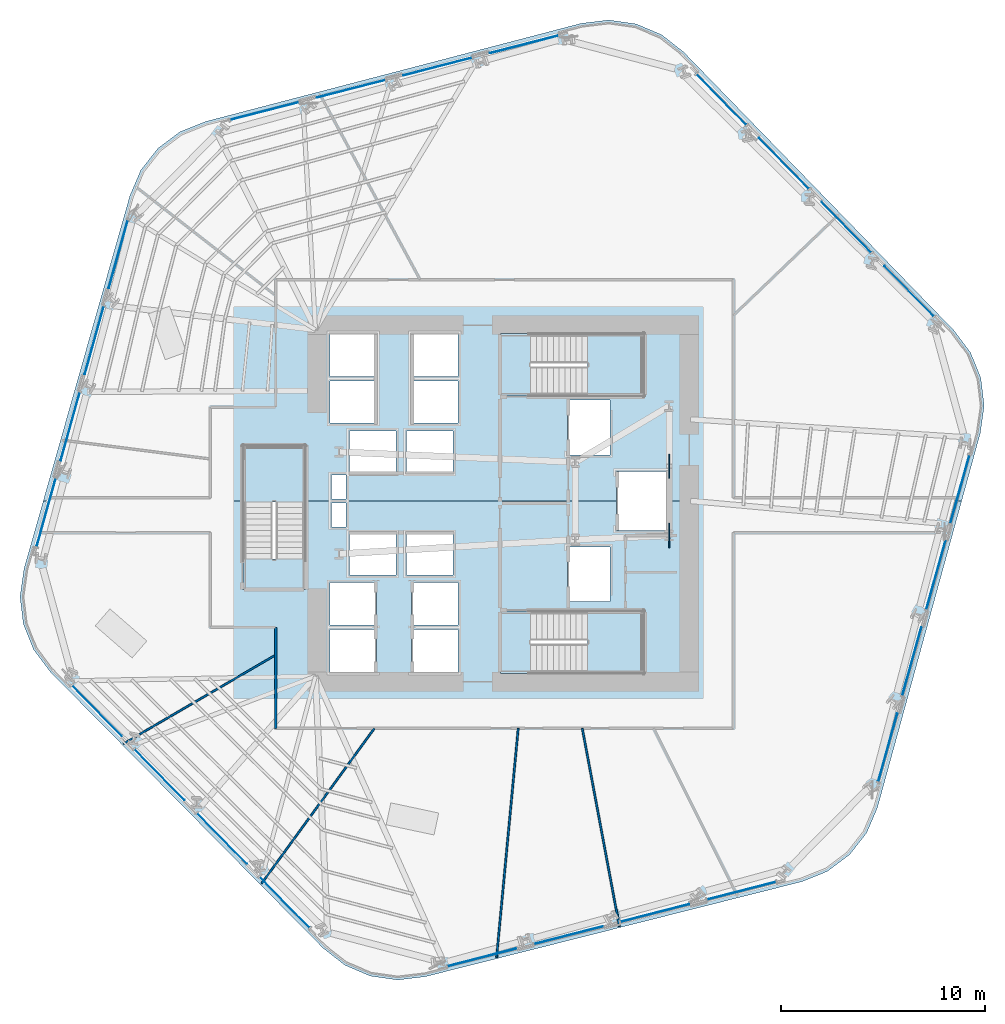
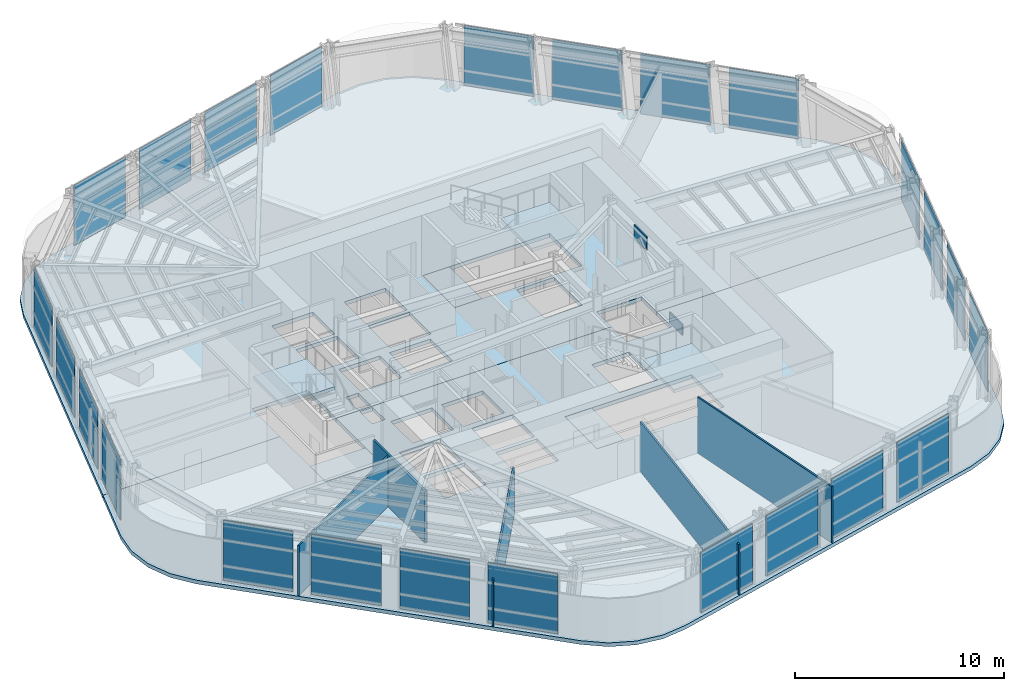
# One storey, part 8 of 17: 26 plates, 8 slabs, 5 walls, 9 elements without a shape of their own.
"""IFC4 building model written with IfcOpenShell, lengths in metres."""

import ifcopenshell
import ifcopenshell.guid

model = None  # the IFC model being written
_history = None  # IfcOwnerHistory: only IFC2X3 demands one
_inside = {}  # id of a spatial element -> (the spatial element, [elements in it])
_under = {}  # id of a project, library or spatial element -> (it, [spatial elements below it])
_declared = {}  # id of a project -> (the project, [libraries it declares])
_typed = {}  # id of a type object -> (the type object, [elements of that type])
_made_of = {}  # id of a material, layer set ... -> (it, [elements and type objects made of it])


def new_model(schema):
    """Start an empty IFC model of exactly this schema.

    Asked for "IFC4X3", IfcOpenShell would pick the latest addendum, in which some entities
    have other attributes; the version numbers below select the first issue.
    IFC2X3 requires an IfcOwnerHistory on every rooted entity: one is made here for all.
    """
    global model, _history
    if schema == "IFC4X3":
        model = ifcopenshell.file(schema_version=(4, 3, 0, 0))
    else:
        model = ifcopenshell.file(schema=schema)
    _inside.clear()
    _under.clear()
    _declared.clear()
    _typed.clear()
    _made_of.clear()
    _history = None
    if model.schema == "IFC2X3":
        org = make("IfcOrganization", Name="unknown")
        user = make(
            "IfcPersonAndOrganization",
            ThePerson=make("IfcPerson", FamilyName="unknown"),
            TheOrganization=org,
        )
        app = make(
            "IfcApplication",
            ApplicationDeveloper=org,
            Version="unknown",
            ApplicationFullName="unknown",
            ApplicationIdentifier="unknown",
        )
        _history = make(
            "IfcOwnerHistory",
            OwningUser=user,
            OwningApplication=app,
            ChangeAction="ADDED",
            CreationDate=0,
        )
    return model


def make(cls, **values):
    """One entity of the class cls with the attributes given. An attribute that is None is left unset."""
    return model.create_entity(
        cls, **{name: value for name, value in values.items() if value is not None}
    )


def rooted(cls, **values):
    """An entity with a GlobalId (a new one), such as an element, a storey or a relation."""
    return make(cls, GlobalId=ifcopenshell.guid.new(), OwnerHistory=_history, **values)


def si_unit(unit_type, name, prefix=None):
    """IfcSIUnit, for example si_unit("LENGTHUNIT", "METRE", prefix="MILLI")."""
    return make("IfcSIUnit", UnitType=unit_type, Prefix=prefix, Name=name)


def assignment(units):
    """IfcUnitAssignment: the units of a project."""
    return None if units is None else make("IfcUnitAssignment", Units=units)


def point(xyz):
    """IfcCartesianPoint."""
    return None if xyz is None else make("IfcCartesianPoint", Coordinates=xyz)


def direction(xyz):
    """IfcDirection."""
    return None if xyz is None else make("IfcDirection", DirectionRatios=xyz)


def frame(location, z_axis=None, x_axis=None):
    """IfcAxis2Placement3D, a coordinate frame: its origin and axes. An axis left out is left unset."""
    return make(
        "IfcAxis2Placement3D",
        Location=point(location),
        Axis=direction(z_axis),
        RefDirection=direction(x_axis),
    )


def frame_2d(location, x_axis=None):
    """IfcAxis2Placement2D, a coordinate frame in the plane: its origin and x axis."""
    return make(
        "IfcAxis2Placement2D", Location=point(location), RefDirection=direction(x_axis)
    )


def origin():
    """The frame at (0, 0, 0) with its axes left unset."""
    return frame((0.0, 0.0, 0.0))


def origin_2d():
    """The frame at (0, 0) in the plane with its x axis left unset."""
    return frame_2d((0.0, 0.0))


def place(relative_to, where):
    """IfcLocalPlacement: puts the frame where relative to a parent placement (None: the world)."""
    return make(
        "IfcLocalPlacement", PlacementRelTo=relative_to, RelativePlacement=where
    )


def context(
    kind, dimensions, precision=None, world=None, true_north=None, identifier=None
):
    """IfcGeometricRepresentationContext, for example the 3D "Model" context."""
    return make(
        "IfcGeometricRepresentationContext",
        ContextIdentifier=identifier,
        ContextType=kind,
        CoordinateSpaceDimension=dimensions,
        Precision=precision,
        WorldCoordinateSystem=world,
        TrueNorth=true_north,
    )


def subcontext(parent, identifier, kind, view, scale=None):
    """IfcGeometricRepresentationSubContext, for example "Body" below "Model"."""
    return make(
        "IfcGeometricRepresentationSubContext",
        ContextIdentifier=identifier,
        ContextType=kind,
        ParentContext=parent,
        TargetScale=scale,
        TargetView=view,
    )


def project(units=None, contexts=None):
    """IfcProject with its units and contexts."""
    return rooted(
        "IfcProject",
        Name="project",
        RepresentationContexts=contexts,
        UnitsInContext=assignment(units),
    )


def spatial(cls, under=None, at=None, **own):
    """A site, building, storey or space (cls), placed at a placement, below another one or the project."""
    s = rooted(cls, ObjectPlacement=at, **own)
    if under is not None:
        _under.setdefault(under.id(), (under, []))[1].append(s)
    return s


def polyline(points):
    """IfcPolyline through the points."""
    return make("IfcPolyline", Points=[point(p) for p in points])


def profile(cls, at=None, kind="AREA", **sizes):
    """A parametric profile (cls). Its sizes go by their IFC names, for example OverallWidth=200.0."""
    return make(cls, ProfileType=kind, Position=at, **sizes)


def rectangle(**sizes):
    """IfcRectangleProfileDef."""
    return profile("IfcRectangleProfileDef", **sizes)


def outline(outer, holes=None, kind="AREA"):
    """IfcArbitraryClosedProfileDef: a profile drawn as a closed curve; with holes, ...WithVoids."""
    if holes is None:
        return make("IfcArbitraryClosedProfileDef", ProfileType=kind, OuterCurve=outer)
    return make(
        "IfcArbitraryProfileDefWithVoids",
        ProfileType=kind,
        OuterCurve=outer,
        InnerCurves=holes,
    )


def extrude(swept, where, along, depth):
    """IfcExtrudedAreaSolid: the profile swept, set in the frame where, extruded along a direction by depth."""
    return make(
        "IfcExtrudedAreaSolid",
        SweptArea=swept,
        Position=where,
        ExtrudedDirection=direction(along),
        Depth=depth,
    )


def shape(context_of_items, identifier, shape_type, items):
    """IfcShapeRepresentation: the items that make up one representation, for example the "Body"."""
    return make(
        "IfcShapeRepresentation",
        ContextOfItems=context_of_items,
        RepresentationIdentifier=identifier,
        RepresentationType=shape_type,
        Items=items,
    )


def material(Name=None, Category=None):
    """IfcMaterial."""
    return make("IfcMaterial", Name=Name, Category=Category)


def layer(
    of_material, thickness, ventilated=None, Name=None, Category=None, Priority=None
):
    """IfcMaterialLayer: one layer of a wall or slab, of a material (None: an air gap)."""
    return make(
        "IfcMaterialLayer",
        Material=of_material,
        LayerThickness=thickness,
        IsVentilated=ventilated,
        Name=Name,
        Category=Category,
        Priority=Priority,
    )


def layer_set(layers, Name=None):
    """IfcMaterialLayerSet."""
    return make("IfcMaterialLayerSet", MaterialLayers=layers, LayerSetName=Name)


def made_of(thing, what):
    """Note that an element or type object is made of a material, layer set ...; save() writes the relation."""
    if what is not None:
        _made_of.setdefault(what.id(), (what, []))[1].append(thing)
    return thing


def type_object(cls, material=None, **own):
    """A type object (cls), such as IfcWallType, which elements share."""
    return made_of(rooted(cls, **own), material)


def element(
    cls,
    number,
    at=None,
    inside=None,
    cuts=None,
    type_object=None,
    material=None,
    context=None,
    identifier="Body",
    shape_type=None,
    held_by="IfcProductDefinitionShape",
    body=None,
    shapes=None,
    **own,
):
    """One element of the class cls, such as IfcWall. Its Tag is "e" and its number.

    at: its placement. inside: the storey or other place that contains it. cuts: it is an
    opening in that element (IfcRelVoidsElement). A single representation is given by context,
    identifier, shape_type and body (its items); several are given by shapes. held_by: the class
    of the entity that holds the representations. save() writes the other relations.
    """
    e = rooted(cls, Tag="e%d" % number, ObjectPlacement=at, **own)
    if body is not None:
        shapes = [shape(context, identifier, shape_type, body)]
    if shapes is not None:
        e.Representation = make(held_by, Representations=shapes)
    if inside is not None:
        _inside.setdefault(inside.id(), (inside, []))[1].append(e)
    if cuts is not None:
        rooted(
            "IfcRelVoidsElement", RelatingBuildingElement=cuts, RelatedOpeningElement=e
        )
    if type_object is not None:
        _typed.setdefault(type_object.id(), (type_object, []))[1].append(e)
    return made_of(e, material)


def aggregate(whole, parts):
    """IfcRelAggregates: a whole, such as a stair, and the parts it consists of."""
    return rooted("IfcRelAggregates", RelatingObject=whole, RelatedObjects=parts)


def save(model, path):
    """Write the relations noted so far, then the file.

    IfcRelAggregates (storeys below a building ...), IfcRelContainedInSpatialStructure (elements
    in a storey), IfcRelDefinesByType, IfcRelAssociatesMaterial and IfcRelDeclares: one each for
    every whole, place, type object, material and project.
    """
    for whole, parts in _under.values():
        aggregate(whole, parts)
    for where, things in _inside.values():
        rooted(
            "IfcRelContainedInSpatialStructure",
            RelatedElements=things,
            RelatingStructure=where,
        )
    for kind, things in _typed.values():
        rooted("IfcRelDefinesByType", RelatedObjects=things, RelatingType=kind)
    for what, things in _made_of.values():
        rooted("IfcRelAssociatesMaterial", RelatedObjects=things, RelatingMaterial=what)
    for by, libraries in _declared.values():
        rooted("IfcRelDeclares", RelatingContext=by, RelatedDefinitions=libraries)
    model.write(path)


model = new_model("IFC4")

# Units and contexts
model_context = context("Model", 3, precision=1e-05, world=origin(), true_north=direction((0.0, 1.0)))
body_context = subcontext(model_context, "Body", "Model", "MODEL_VIEW")
ifc_project = project(units=[si_unit("LENGTHUNIT", "METRE"), si_unit("AREAUNIT", "SQUARE_METRE"), si_unit("VOLUMEUNIT", "CUBIC_METRE"), si_unit("PLANEANGLEUNIT", "RADIAN"), si_unit("MASSUNIT", "GRAM", prefix="KILO")], contexts=[model_context])

# Site, building, storey
site_placement = place(None, origin())
site = spatial("IfcSite", under=ifc_project, at=site_placement, CompositionType="ELEMENT")
building_placement = place(site_placement, origin())
building = spatial("IfcBuilding", under=site, at=building_placement, Name="Valkerne Bourse Tower", CompositionType="ELEMENT")
storey_placement = place(building_placement, frame((0.0, 0.0, 85.800048828125)))
storey = spatial("IfcBuildingStorey", under=building, at=storey_placement, Name="L21", CompositionType="ELEMENT", Elevation=85.800048828125)

# Curtain wall, plates
ifc_material_1 = material(Name="Aluminium AA 6063-T6", Category="aluminium")
ifc_layer_1 = layer(ifc_material_1, 0.22998046875)
ifc_layer_set_1 = layer_set([ifc_layer_1], Name="Aluminium AA 6063-T6")
curtain_wall_type = type_object("IfcCurtainWallType", Name="CW-02", PredefinedType="NOTDEFINED", material=ifc_layer_set_1)
curtain_wall_1_placement = place(storey_placement, origin())
curtain_wall_1 = element("IfcCurtainWall", 1, at=curtain_wall_1_placement, inside=storey, type_object=curtain_wall_type, Name="L21 Hexagonal Stick Curtain Wall Face 1", PredefinedType="NOTDEFINED")
ifc_material_2 = material(Name="Glass IGU Low-E Double Glazed", Category="glass")
ifc_layer_2 = layer(ifc_material_2, 0.031982421875)
ifc_layer_set_2 = layer_set([ifc_layer_2], Name="Glass IGU Low-E Double Glazed")
plate_type_1 = type_object("IfcPlateType", Name="CW-PNL-IGU-32", PredefinedType="CURTAIN_PANEL", material=ifc_layer_set_2)
plate_1_placement = place(storey_placement, frame((66.70947265625, 37.294921875, 0.030029296875), z_axis=(0.0, 0.0, 1.0), x_axis=(-0.699652940841, 0.714482863596, 0.0)))
plate_1 = element("IfcPlate", 2, at=plate_1_placement, type_object=plate_type_1, Name="CW-L21-F1 Curtain Panel 00", PredefinedType="CURTAIN_PANEL", context=body_context, shape_type="SweptSolid", body=[
    extrude(rectangle(XDim=3.462890625, YDim=0.031982421875, at=origin_2d()), origin(), (0.0, 0.0, 1.0), 3.52001953125),
])
plate_2_placement = place(storey_placement, frame((63.642822265625, 40.426513671875, 0.030029296875), z_axis=(0.0, 0.0, 1.0), x_axis=(-0.699664346061, 0.714471694927, 0.0)))
plate_2 = element("IfcPlate", 3, at=plate_2_placement, type_object=plate_type_1, Name="CW-L21-F1 Curtain Panel 01", PredefinedType="CURTAIN_PANEL", context=body_context, shape_type="SweptSolid", body=[
    extrude(rectangle(XDim=3.462890625, YDim=0.031982421875, at=origin_2d()), origin(), (0.0, 0.0, 1.0), 3.52001953125),
])
plate_3_placement = place(storey_placement, frame((60.576416015625, 43.557861328125, 0.030029296875), z_axis=(0.0, 0.0, 1.0), x_axis=(-0.699664346061, 0.714471694927, 0.0)))
plate_3 = element("IfcPlate", 4, at=plate_3_placement, type_object=plate_type_1, Name="CW-L21-F1 Curtain Panel 02", PredefinedType="CURTAIN_PANEL", context=body_context, shape_type="SweptSolid", body=[
    extrude(rectangle(XDim=3.462890625, YDim=0.031982421875, at=origin_2d()), origin(), (0.0, 0.0, 1.0), 3.52001953125),
])
plate_4_placement = place(storey_placement, frame((57.509521484375, 46.689453125, 0.030029296875), z_axis=(0.0, 0.0, 1.0), x_axis=(-0.699664587428, 0.714471458562, 0.0)))
plate_4 = element("IfcPlate", 5, at=plate_4_placement, type_object=plate_type_1, Name="CW-L21-F1 Curtain Panel 03", PredefinedType="CURTAIN_PANEL", context=body_context, shape_type="SweptSolid", body=[
    extrude(rectangle(XDim=3.463134765625, YDim=0.031982421875, at=origin_2d()), origin(), (0.0, 0.0, 1.0), 3.52001953125),
])
aggregate(curtain_wall_1, [plate_1, plate_2, plate_3, plate_4])

curtain_wall_2_placement = place(storey_placement, origin())
curtain_wall_2 = element("IfcCurtainWall", 6, at=curtain_wall_2_placement, inside=storey, type_object=curtain_wall_type, Name="L21 Hexagonal Stick Curtain Wall Face 2", PredefinedType="NOTDEFINED")
plate_5_placement = place(storey_placement, frame((47.839111328125, 49.389404296875, 0.030029296875), z_axis=(0.0, 0.0, 1.0), x_axis=(-0.96858358851, -0.248688222617, 0.0)))
plate_5 = element("IfcPlate", 7, at=plate_5_placement, type_object=plate_type_1, Name="CW-L21-F2 Curtain Panel 00", PredefinedType="CURTAIN_PANEL", context=body_context, shape_type="SweptSolid", body=[
    extrude(rectangle(XDim=3.462890625, YDim=0.031982421875, at=origin_2d()), origin(), (0.0, 0.0, 1.0), 3.52001953125),
])
plate_6_placement = place(storey_placement, frame((43.59375, 48.299560546875, 0.030029296875), z_axis=(0.0, 0.0, 1.0), x_axis=(-0.96858358851, -0.248688222617, 0.0)))
plate_6 = element("IfcPlate", 8, at=plate_6_placement, type_object=plate_type_1, Name="CW-L21-F2 Curtain Panel 01", PredefinedType="CURTAIN_PANEL", context=body_context, shape_type="SweptSolid", body=[
    extrude(rectangle(XDim=3.462890625, YDim=0.031982421875, at=origin_2d()), origin(), (0.0, 0.0, 1.0), 3.52001953125),
])
plate_7_placement = place(storey_placement, frame((39.348388671875, 47.209716796875, 0.030029296875), z_axis=(0.0, 0.0, 1.0), x_axis=(-0.96858358851, -0.248688222617, 0.0)))
plate_7 = element("IfcPlate", 9, at=plate_7_placement, type_object=plate_type_1, Name="CW-L21-F2 Curtain Panel 02", PredefinedType="CURTAIN_PANEL", context=body_context, shape_type="SweptSolid", body=[
    extrude(rectangle(XDim=3.462890625, YDim=0.031982421875, at=origin_2d()), origin(), (0.0, 0.0, 1.0), 3.52001953125),
])
plate_8_placement = place(storey_placement, frame((35.103271484375, 46.11962890625, 0.030029296875), z_axis=(0.0, 0.0, 1.0), x_axis=(-0.96858358851, -0.248688222617, 0.0)))
plate_8 = element("IfcPlate", 10, at=plate_8_placement, type_object=plate_type_1, Name="CW-L21-F2 Curtain Panel 03", PredefinedType="CURTAIN_PANEL", context=body_context, shape_type="SweptSolid", body=[
    extrude(rectangle(XDim=3.462890625, YDim=0.031982421875, at=origin_2d()), origin(), (0.0, 0.0, 1.0), 3.52001953125),
])
aggregate(curtain_wall_2, [plate_5, plate_6, plate_7, plate_8])

curtain_wall_3_placement = place(storey_placement, origin())
curtain_wall_3 = element("IfcCurtainWall", 11, at=curtain_wall_3_placement, inside=storey, type_object=curtain_wall_type, Name="L21 Hexagonal Stick Curtain Wall Face 3", PredefinedType="NOTDEFINED")
plate_9_placement = place(storey_placement, frame((27.9296875, 39.0947265625, 0.030029296875), z_axis=(0.0, 0.0, 1.0), x_axis=(-0.268900369917, -0.963167997318, 0.0)))
plate_9 = element("IfcPlate", 12, at=plate_9_placement, type_object=plate_type_1, Name="CW-L21-F3 Curtain Panel 00", PredefinedType="CURTAIN_PANEL", context=body_context, shape_type="SweptSolid", body=[
    extrude(rectangle(XDim=3.462890625, YDim=0.031982421875, at=origin_2d()), origin(), (0.0, 0.0, 1.0), 3.52001953125),
])
plate_10_placement = place(storey_placement, frame((26.7509765625, 34.873046875, 0.030029296875), z_axis=(0.0, 0.0, 1.0), x_axis=(-0.268927444827, -0.963160438047, 0.0)))
plate_10 = element("IfcPlate", 13, at=plate_10_placement, type_object=plate_type_1, Name="CW-L21-F3 Curtain Panel 01", PredefinedType="CURTAIN_PANEL", context=body_context, shape_type="SweptSolid", body=[
    extrude(rectangle(XDim=3.462890625, YDim=0.031982421875, at=origin_2d()), origin(), (0.0, 0.0, 1.0), 3.52001953125),
])
plate_11_placement = place(storey_placement, frame((25.572265625, 30.651611328125, 0.030029296875), z_axis=(0.0, 0.0, 1.0), x_axis=(-0.268927444827, -0.963160438047, 0.0)))
plate_11 = element("IfcPlate", 14, at=plate_11_placement, type_object=plate_type_1, Name="CW-L21-F3 Curtain Panel 02", PredefinedType="CURTAIN_PANEL", context=body_context, shape_type="SweptSolid", body=[
    extrude(rectangle(XDim=3.462890625, YDim=0.031982421875, at=origin_2d()), origin(), (0.0, 0.0, 1.0), 3.52001953125),
])
plate_12_placement = place(storey_placement, frame((24.3935546875, 26.43017578125, 0.030029296875), z_axis=(0.0, 0.0, 1.0), x_axis=(-0.268921535255, -0.96316208806, 0.0)))
plate_12 = element("IfcPlate", 15, at=plate_12_placement, type_object=plate_type_1, Name="CW-L21-F3 Curtain Panel 03", PredefinedType="CURTAIN_PANEL", context=body_context, shape_type="SweptSolid", body=[
    extrude(rectangle(XDim=3.462890625, YDim=0.031982421875, at=origin_2d()), origin(), (0.0, 0.0, 1.0), 3.52001953125),
])
aggregate(curtain_wall_3, [plate_9, plate_10, plate_11, plate_12])

curtain_wall_4_placement = place(storey_placement, origin())
curtain_wall_4 = element("IfcCurtainWall", 16, at=curtain_wall_4_placement, inside=storey, type_object=curtain_wall_type, Name="L21 Hexagonal Stick Curtain Wall Face 4", PredefinedType="NOTDEFINED")
plate_13_placement = place(storey_placement, frame((26.890380859375, 16.705078125, 0.030029296875), z_axis=(0.0, 0.0, 1.0), x_axis=(0.699652940841, -0.714482863596, 0.0)))
plate_13 = element("IfcPlate", 17, at=plate_13_placement, type_object=plate_type_1, Name="CW-L21-F4 Curtain Panel 00", PredefinedType="CURTAIN_PANEL", context=body_context, shape_type="SweptSolid", body=[
    extrude(rectangle(XDim=3.462890625, YDim=0.031982421875, at=origin_2d()), origin(), (0.0, 0.0, 1.0), 3.52001953125),
])
plate_14_placement = place(storey_placement, frame((29.95703125, 13.573486328125, 0.030029296875), z_axis=(0.0, 0.0, 1.0), x_axis=(0.699664346061, -0.714471694927, 0.0)))
plate_14 = element("IfcPlate", 18, at=plate_14_placement, type_object=plate_type_1, Name="CW-L21-F4 Curtain Panel 01", PredefinedType="CURTAIN_PANEL", context=body_context, shape_type="SweptSolid", body=[
    extrude(rectangle(XDim=3.462890625, YDim=0.031982421875, at=origin_2d()), origin(), (0.0, 0.0, 1.0), 3.52001953125),
])
plate_15_placement = place(storey_placement, frame((33.023681640625, 10.442138671875, 0.030029296875), z_axis=(0.0, 0.0, 1.0), x_axis=(0.699664346061, -0.714471694927, 0.0)))
plate_15 = element("IfcPlate", 19, at=plate_15_placement, type_object=plate_type_1, Name="CW-L21-F4 Curtain Panel 02", PredefinedType="CURTAIN_PANEL", context=body_context, shape_type="SweptSolid", body=[
    extrude(rectangle(XDim=3.462890625, YDim=0.031982421875, at=origin_2d()), origin(), (0.0, 0.0, 1.0), 3.52001953125),
])
plate_16_placement = place(storey_placement, frame((36.09033203125, 7.310546875, 0.030029296875), z_axis=(0.0, 0.0, 1.0), x_axis=(0.699664587428, -0.714471458562, 0.0)))
plate_16 = element("IfcPlate", 20, at=plate_16_placement, type_object=plate_type_1, Name="CW-L21-F4 Curtain Panel 03", PredefinedType="CURTAIN_PANEL", context=body_context, shape_type="SweptSolid", body=[
    extrude(rectangle(XDim=3.463134765625, YDim=0.031982421875, at=origin_2d()), origin(), (0.0, 0.0, 1.0), 3.52001953125),
])
aggregate(curtain_wall_4, [plate_13, plate_14, plate_15, plate_16])

curtain_wall_5_placement = place(storey_placement, origin())
curtain_wall_5 = element("IfcCurtainWall", 21, at=curtain_wall_5_placement, inside=storey, type_object=curtain_wall_type, Name="L21 Hexagonal Stick Curtain Wall Face 5", PredefinedType="NOTDEFINED")
plate_17_placement = place(storey_placement, frame((45.760986328125, 4.610595703125, 0.030029296875), z_axis=(0.0, 0.0, 1.0), x_axis=(0.96858358851, 0.248688222617, 0.0)))
plate_17 = element("IfcPlate", 22, at=plate_17_placement, type_object=plate_type_1, Name="CW-L21-F5 Curtain Panel 00", PredefinedType="CURTAIN_PANEL", context=body_context, shape_type="SweptSolid", body=[
    extrude(rectangle(XDim=3.462890625, YDim=0.031982421875, at=origin_2d()), origin(), (0.0, 0.0, 1.0), 3.52001953125),
])
plate_18_placement = place(storey_placement, frame((50.006103515625, 5.700439453125, 0.030029296875), z_axis=(0.0, 0.0, 1.0), x_axis=(0.96858358851, 0.248688222617, 0.0)))
plate_18 = element("IfcPlate", 23, at=plate_18_placement, type_object=plate_type_1, Name="CW-L21-F5 Curtain Panel 01", PredefinedType="CURTAIN_PANEL", context=body_context, shape_type="SweptSolid", body=[
    extrude(rectangle(XDim=3.462890625, YDim=0.031982421875, at=origin_2d()), origin(), (0.0, 0.0, 1.0), 3.52001953125),
])
plate_19_placement = place(storey_placement, frame((54.25146484375, 6.790283203125, 0.030029296875), z_axis=(0.0, 0.0, 1.0), x_axis=(0.96858358851, 0.248688222617, 0.0)))
plate_19 = element("IfcPlate", 24, at=plate_19_placement, type_object=plate_type_1, Name="CW-L21-F5 Curtain Panel 02", PredefinedType="CURTAIN_PANEL", context=body_context, shape_type="SweptSolid", body=[
    extrude(rectangle(XDim=3.462890625, YDim=0.031982421875, at=origin_2d()), origin(), (0.0, 0.0, 1.0), 3.52001953125),
])
plate_20_placement = place(storey_placement, frame((58.496826171875, 7.88037109375, 0.030029296875), z_axis=(0.0, 0.0, 1.0), x_axis=(0.96858358851, 0.248688222617, 0.0)))
plate_20 = element("IfcPlate", 25, at=plate_20_placement, type_object=plate_type_1, Name="CW-L21-F5 Curtain Panel 03", PredefinedType="CURTAIN_PANEL", context=body_context, shape_type="SweptSolid", body=[
    extrude(rectangle(XDim=3.462890625, YDim=0.031982421875, at=origin_2d()), origin(), (0.0, 0.0, 1.0), 3.52001953125),
])
aggregate(curtain_wall_5, [plate_17, plate_18, plate_19, plate_20])

curtain_wall_6_placement = place(storey_placement, origin())
curtain_wall_6 = element("IfcCurtainWall", 26, at=curtain_wall_6_placement, inside=storey, type_object=curtain_wall_type, Name="L21 Hexagonal Stick Curtain Wall Face 6", PredefinedType="NOTDEFINED")
plate_21_placement = place(storey_placement, frame((65.67041015625, 14.9052734375, 0.030029296875), z_axis=(0.0, 0.0, 1.0), x_axis=(0.268900369917, 0.963167997318, 0.0)))
plate_21 = element("IfcPlate", 27, at=plate_21_placement, type_object=plate_type_1, Name="CW-L21-F6 Curtain Panel 00", PredefinedType="CURTAIN_PANEL", context=body_context, shape_type="SweptSolid", body=[
    extrude(rectangle(XDim=3.462890625, YDim=0.031982421875, at=origin_2d()), origin(), (0.0, 0.0, 1.0), 3.52001953125),
])
plate_22_placement = place(storey_placement, frame((66.84912109375, 19.126953125, 0.030029296875), z_axis=(0.0, 0.0, 1.0), x_axis=(0.268927444827, 0.963160438047, 0.0)))
plate_22 = element("IfcPlate", 28, at=plate_22_placement, type_object=plate_type_1, Name="CW-L21-F6 Curtain Panel 01", PredefinedType="CURTAIN_PANEL", context=body_context, shape_type="SweptSolid", body=[
    extrude(rectangle(XDim=3.462890625, YDim=0.031982421875, at=origin_2d()), origin(), (0.0, 0.0, 1.0), 3.52001953125),
])
plate_23_placement = place(storey_placement, frame((68.027587890625, 23.348388671875, 0.030029296875), z_axis=(0.0, 0.0, 1.0), x_axis=(0.268927444827, 0.963160438047, 0.0)))
plate_23 = element("IfcPlate", 29, at=plate_23_placement, type_object=plate_type_1, Name="CW-L21-F6 Curtain Panel 02", PredefinedType="CURTAIN_PANEL", context=body_context, shape_type="SweptSolid", body=[
    extrude(rectangle(XDim=3.462890625, YDim=0.031982421875, at=origin_2d()), origin(), (0.0, 0.0, 1.0), 3.52001953125),
])
plate_24_placement = place(storey_placement, frame((69.206298828125, 27.56982421875, 0.030029296875), z_axis=(0.0, 0.0, 1.0), x_axis=(0.268921535255, 0.96316208806, 0.0)))
plate_24 = element("IfcPlate", 30, at=plate_24_placement, type_object=plate_type_1, Name="CW-L21-F6 Curtain Panel 03", PredefinedType="CURTAIN_PANEL", context=body_context, shape_type="SweptSolid", body=[
    extrude(rectangle(XDim=3.462890625, YDim=0.031982421875, at=origin_2d()), origin(), (0.0, 0.0, 1.0), 3.52001953125),
])
aggregate(curtain_wall_6, [plate_21, plate_22, plate_23, plate_24])

# Plates
ifc_material_3 = material(Name="Steel ASTM A572 Grade 50", Category="steel")
ifc_layer_3 = layer(ifc_material_3, 0.06005859375)
ifc_layer_set_3 = layer_set([ifc_layer_3], Name="Steel ASTM A572 Grade 50")
plate_type_2 = type_object("IfcPlateType", Name="PLT-GUS-60", PredefinedType="SHEET", material=ifc_layer_set_3)
for number, where, z_axis, x_axis, name in (
    (31, (54.949951171875, 25.300048828125, -0.18017578125), (0.0, 0.0, 1.0), (0.0, 1.0, 0.0), "L21 Brace Node Gusset Plate PLT-GUS-END-L21-358"),
    (32, (54.949951171875, 28.699951171875, 2.8740234375), (0.0, 0.0, 1.0), (0.0, 1.0, 0.0), "L21 Brace Node Gusset Plate PLT-GUS-END-L21-359"),
):
    element("IfcPlate", number, at=place(storey_placement, frame(where, z_axis=z_axis, x_axis=x_axis)), inside=storey, type_object=plate_type_2, Name=name, PredefinedType="SHEET", context=body_context, shape_type="SweptSolid", body=[
        extrude(rectangle(XDim=1.199951171875, YDim=0.06005859375, at=origin_2d()), origin(), (0.0, 0.0, 1.0), 0.800048828125),
    ])

# Slabs
ifc_material_4 = material(Name="Concrete C40/50", Category="concrete")
ifc_layer_4 = layer(ifc_material_4, 0.25)
ifc_layer_set_4 = layer_set([ifc_layer_4], Name="Concrete C40/50")
slab_type_1 = type_object("IfcSlabType", Name="SLB-RMP-LND-250", PredefinedType="LANDING", material=ifc_layer_set_4)
slab_1_placement = place(storey_placement, frame((0.0, 0.0, -0.219970703125)))
element("IfcSlab", 33, at=slab_1_placement, inside=storey, type_object=slab_type_1, Name="L21 ST-1 Floor Landing Slab", PredefinedType="LANDING", context=body_context, shape_type="SweptSolid", body=[
    extrude(outline(polyline([(46.669921875, 18.5400390625), (48.14990234375, 18.5400390625), (48.14990234375, 21.610107421875), (46.669921875, 21.610107421875), (46.669921875, 18.5400390625)])), origin(), (0.0, 0.0, 1.0), 0.219970703125),
])
slab_2_placement = place(storey_placement, frame((0.0, 0.0, -0.219970703125)))
element("IfcSlab", 34, at=slab_2_placement, inside=storey, type_object=slab_type_1, Name="L21 ST-2 Floor Landing Slab", PredefinedType="LANDING", context=body_context, shape_type="SweptSolid", body=[
    extrude(outline(polyline([(46.669921875, 32.139892578125), (48.14990234375, 32.139892578125), (48.14990234375, 35.2099609375), (46.669921875, 35.2099609375), (46.669921875, 32.139892578125)])), origin(), (0.0, 0.0, 1.0), 0.219970703125),
])
slab_3_placement = place(storey_placement, frame((0.0, 0.0, -0.219970703125)))
element("IfcSlab", 35, at=slab_3_placement, inside=storey, type_object=slab_type_1, Name="L21 ST-3 Floor Landing Slab", PredefinedType="LANDING", context=body_context, shape_type="SweptSolid", body=[
    extrude(outline(polyline([(37.110107421875, 22.669921875), (37.110107421875, 24.14990234375), (34.0400390625, 24.14990234375), (34.0400390625, 22.669921875), (37.110107421875, 22.669921875)])), origin(), (0.0, 0.0, 1.0), 0.219970703125),
])

# Stair, slab
stair_type = type_object("IfcStairType", Name="ST-CORE-1400", PredefinedType="HALF_TURN_STAIR", material=ifc_material_4)
stair_1_placement = place(storey_placement, origin())
stair_1 = element("IfcStair", 36, at=stair_1_placement, inside=storey, type_object=stair_type, Name="L21 ST-1", PredefinedType="HALF_TURN_STAIR")
ifc_layer_5 = layer(ifc_material_4, 0.179931640625)
ifc_layer_set_5 = layer_set([ifc_layer_5], Name="Concrete C40/50")
slab_type_2 = type_object("IfcSlabType", Name="SLB-ST-LND-180", PredefinedType="LANDING", material=ifc_layer_set_5)
slab_4_placement = place(storey_placement, frame((0.0, 0.0, 1.699951171875)))
slab_4 = element("IfcSlab", 37, at=slab_4_placement, type_object=slab_type_2, Name="ST-1 landing 1", PredefinedType="LANDING", context=body_context, shape_type="SweptSolid", body=[
    extrude(outline(polyline([(50.949951171875, 18.60009765625), (53.64990234375, 18.60009765625), (53.64990234375, 21.550048828125), (50.949951171875, 21.550048828125), (50.949951171875, 18.60009765625)])), origin(), (0.0, 0.0, 1.0), 0.199951171875),
])
aggregate(stair_1, [slab_4])

stair_2_placement = place(storey_placement, origin())
stair_2 = element("IfcStair", 38, at=stair_2_placement, inside=storey, type_object=stair_type, Name="L21 ST-2", PredefinedType="HALF_TURN_STAIR")
slab_5_placement = place(storey_placement, frame((0.0, 0.0, 1.699951171875)))
slab_5 = element("IfcSlab", 39, at=slab_5_placement, type_object=slab_type_2, Name="ST-2 landing 1", PredefinedType="LANDING", context=body_context, shape_type="SweptSolid", body=[
    extrude(outline(polyline([(50.949951171875, 32.199951171875), (53.64990234375, 32.199951171875), (53.64990234375, 35.14990234375), (50.949951171875, 35.14990234375), (50.949951171875, 32.199951171875)])), origin(), (0.0, 0.0, 1.0), 0.199951171875),
])
aggregate(stair_2, [slab_5])

stair_3_placement = place(storey_placement, origin())
stair_3 = element("IfcStair", 40, at=stair_3_placement, inside=storey, type_object=stair_type, Name="L21 ST-3", PredefinedType="HALF_TURN_STAIR")
slab_6_placement = place(storey_placement, frame((0.0, 0.0, 1.699951171875)))
slab_6 = element("IfcSlab", 41, at=slab_6_placement, type_object=slab_type_2, Name="ST-3 landing 1", PredefinedType="LANDING", context=body_context, shape_type="SweptSolid", body=[
    extrude(outline(polyline([(37.050048828125, 26.949951171875), (37.050048828125, 29.64990234375), (34.10009765625, 29.64990234375), (34.10009765625, 26.949951171875), (37.050048828125, 26.949951171875)])), origin(), (0.0, 0.0, 1.0), 0.199951171875),
])
aggregate(stair_3, [slab_6])

# Slabs
ifc_layer_6 = layer(ifc_material_4, 0.219970703125)
ifc_layer_set_6 = layer_set([ifc_layer_6], Name="Concrete C40/50")
slab_type_3 = type_object("IfcSlabType", Name="SLB-TOW-220", PredefinedType="FLOOR", material=ifc_layer_set_6)
slab_7_placement = place(storey_placement, frame((0.0, 0.0, -0.219970703125)))
element("IfcSlab", 42, at=slab_7_placement, inside=storey, type_object=slab_type_3, Name="L21 Hexagonal Composite Floor Slab S", PredefinedType="FLOOR", context=body_context, shape_type="SweptSolid", body=[
    extrude(outline(polyline([(64.631591796875, 10.714599609375), (63.7939453125, 9.646240234375), (62.70849609375, 8.831298828125), (61.448974609375, 8.324951171875), (42.98486328125, 3.66748046875), (41.63720703125, 3.50439453125), (40.293212890625, 3.69580078125), (39.044677734375, 4.228271484375), (37.9765625, 5.06591796875), (24.595703125, 18.614501953125), (23.780517578125, 19.7001953125), (23.274169921875, 20.959716796875), (23.111083984375, 22.30712890625), (23.302490234375, 23.651123046875), (24.252685546875, 27.0), (34.034912109375, 27.0), (34.034912109375, 22.6650390625), (37.114990234375, 22.6650390625), (37.114990234375, 27.0), (52.360107421875, 27.0), (52.360107421875, 25.56005859375), (54.840087890625, 25.56005859375), (54.840087890625, 27.0), (69.2939453125, 27.0), (65.164306640625, 11.963134765625), (64.631591796875, 10.714599609375)]), holes=[polyline([(40.590087890625, 20.68994140625), (38.31005859375, 20.68994140625), (38.31005859375, 18.610107421875), (40.590087890625, 18.610107421875), (40.590087890625, 20.68994140625)]), polyline([(40.590087890625, 22.989990234375), (38.31005859375, 22.989990234375), (38.31005859375, 20.909912109375), (40.590087890625, 20.909912109375), (40.590087890625, 22.989990234375)]), polyline([(41.5400390625, 25.43994140625), (39.260009765625, 25.43994140625), (39.260009765625, 23.360107421875), (41.5400390625, 23.360107421875), (41.5400390625, 25.43994140625)]), polyline([(39.10009765625, 25.72998046875), (39.10009765625, 26.89990234375), (38.3798828125, 26.89990234375), (38.3798828125, 25.72998046875), (39.10009765625, 25.72998046875)]), polyline([(44.590087890625, 20.68994140625), (42.31005859375, 20.68994140625), (42.31005859375, 18.610107421875), (44.590087890625, 18.610107421875), (44.590087890625, 20.68994140625)]), polyline([(53.675048828125, 21.614990234375), (46.6650390625, 21.614990234375), (46.6650390625, 18.534912109375), (53.675048828125, 18.534912109375), (53.675048828125, 21.614990234375)]), polyline([(44.590087890625, 22.989990234375), (42.31005859375, 22.989990234375), (42.31005859375, 20.909912109375), (44.590087890625, 20.909912109375), (44.590087890625, 22.989990234375)]), polyline([(52.0400390625, 22.06005859375), (52.0400390625, 24.739990234375), (49.9599609375, 24.739990234375), (49.9599609375, 22.06005859375), (52.0400390625, 22.06005859375)]), polyline([(44.340087890625, 23.360107421875), (44.340087890625, 25.43994140625), (42.06005859375, 25.43994140625), (42.06005859375, 23.360107421875), (44.340087890625, 23.360107421875)])]), origin(), (0.0, 0.0, 1.0), 0.219970703125),
])
slab_8_placement = place(storey_placement, frame((0.0, 0.0, -0.219970703125)))
element("IfcSlab", 43, at=slab_8_placement, inside=storey, type_object=slab_type_3, Name="L21 Hexagonal Composite Floor Slab N", PredefinedType="FLOOR", context=body_context, shape_type="SweptSolid", body=[
    extrude(outline(polyline([(28.501220703125, 41.97021484375), (29.03369140625, 43.21875), (29.871337890625, 44.287109375), (30.956787109375, 45.10205078125), (32.21630859375, 45.6083984375), (50.64013671875, 50.42236328125), (51.98779296875, 50.58544921875), (53.331787109375, 50.39404296875), (54.580322265625, 49.861572265625), (55.648681640625, 49.02392578125), (68.9140625, 35.3623046875), (69.72900390625, 34.276611328125), (70.2353515625, 33.01708984375), (70.3984375, 31.66943359375), (70.207275390625, 30.32568359375), (69.2939453125, 27.0), (54.840087890625, 27.0), (54.840087890625, 28.43994140625), (52.360107421875, 28.43994140625), (52.360107421875, 27.0), (37.114990234375, 27.0), (37.114990234375, 29.675048828125), (34.034912109375, 29.675048828125), (34.034912109375, 27.0), (24.252685546875, 27.0), (28.501220703125, 41.97021484375)]), holes=[polyline([(39.10009765625, 28.27001953125), (38.3798828125, 28.27001953125), (38.3798828125, 27.10009765625), (39.10009765625, 27.10009765625), (39.10009765625, 28.27001953125)]), polyline([(41.5400390625, 30.43994140625), (39.260009765625, 30.43994140625), (39.260009765625, 28.360107421875), (41.5400390625, 28.360107421875), (41.5400390625, 30.43994140625)]), polyline([(44.340087890625, 30.43994140625), (42.06005859375, 30.43994140625), (42.06005859375, 28.360107421875), (44.340087890625, 28.360107421875), (44.340087890625, 30.43994140625)]), polyline([(40.590087890625, 30.81005859375), (40.590087890625, 32.889892578125), (38.31005859375, 32.889892578125), (38.31005859375, 30.81005859375), (40.590087890625, 30.81005859375)]), polyline([(40.590087890625, 33.110107421875), (40.590087890625, 35.18994140625), (38.31005859375, 35.18994140625), (38.31005859375, 33.110107421875), (40.590087890625, 33.110107421875)]), polyline([(52.0400390625, 31.93994140625), (49.9599609375, 31.93994140625), (49.9599609375, 29.260009765625), (52.0400390625, 29.260009765625), (52.0400390625, 31.93994140625)]), polyline([(44.590087890625, 32.889892578125), (42.31005859375, 32.889892578125), (42.31005859375, 30.81005859375), (44.590087890625, 30.81005859375), (44.590087890625, 32.889892578125)]), polyline([(53.675048828125, 32.135009765625), (53.675048828125, 35.215087890625), (46.6650390625, 35.215087890625), (46.6650390625, 32.135009765625), (53.675048828125, 32.135009765625)]), polyline([(44.590087890625, 33.110107421875), (44.590087890625, 35.18994140625), (42.31005859375, 35.18994140625), (42.31005859375, 33.110107421875), (44.590087890625, 33.110107421875)])]), origin(), (0.0, 0.0, 1.0), 0.219970703125),
])

# Walls
ifc_material_5 = material(Name="Gypsum Board Steel-Stud Partition", Category="steel")
ifc_layer_7 = layer(ifc_material_5, 0.117919921875)
ifc_layer_set_7 = layer_set([ifc_layer_7], Name="Gypsum Board Steel-Stud Partition")
wall_type_1 = type_object("IfcWallType", Name="W-CORR-140", PredefinedType="PARTITIONING", material=ifc_layer_set_7)
wall_1_placement = place(storey_placement, frame((35.64990234375, 15.85009765625, 0.0), z_axis=(0.0, 0.0, 1.0), x_axis=(0.0, 1.0, 0.0)))
element("IfcWall", 44, at=wall_1_placement, inside=storey, type_object=wall_type_1, Name="L21 Corridor Enclosure Wall", PredefinedType="PARTITIONING", context=body_context, shape_type="SweptSolid", body=[
    extrude(rectangle(XDim=4.949951171875, YDim=0.117919921875, at=frame_2d((2.47509765625, 0.0))), origin(), (0.0, 0.0, 1.0), 3.021240234375),
])
ifc_layer_8 = layer(ifc_material_5, 0.092041015625)
ifc_layer_set_8 = layer_set([ifc_layer_8], Name="Gypsum Board Steel-Stud Partition")
wall_type_2 = type_object("IfcWallType", Name="W-PART-115", PredefinedType="PARTITIONING", material=ifc_layer_set_8)
wall_2_placement = place(storey_placement, frame((47.54541015625, 15.844970703125, 0.0), z_axis=(0.0, 0.0, 1.0), x_axis=(-0.094104861184, -0.99556229092, 0.0)))
element("IfcWall", 45, at=wall_2_placement, inside=storey, type_object=wall_type_2, Name="L21 Suite Partition P01", PredefinedType="PARTITIONING", context=body_context, shape_type="SweptSolid", body=[
    extrude(rectangle(XDim=11.2724609375, YDim=0.092041015625, at=frame_2d((5.63623046875, 0.0))), origin(), (0.0, 0.0, 1.0), 2.92236328125),
])
wall_3_placement = place(storey_placement, frame((50.6875, 15.844970703125, 0.0), z_axis=(0.0, 0.0, 1.0), x_axis=(0.18396004717, -0.982933721593, 0.0)))
element("IfcWall", 46, at=wall_3_placement, inside=storey, type_object=wall_type_2, Name="L21 Suite Partition P02", PredefinedType="PARTITIONING", context=body_context, shape_type="SweptSolid", body=[
    extrude(rectangle(XDim=9.87255859375, YDim=0.092041015625, at=frame_2d((4.936279296875, 0.0))), origin(), (0.0, 0.0, 1.0), 3.280029296875),
])
wall_4_placement = place(storey_placement, frame((35.64501953125, 19.444091796875, 0.0), z_axis=(0.0, 0.0, 1.0), x_axis=(-0.863824985017, -0.503792015877, 0.0)))
element("IfcWall", 47, at=wall_4_placement, inside=storey, type_object=wall_type_2, Name="L21 Suite Partition P08", PredefinedType="PARTITIONING", context=body_context, shape_type="SweptSolid", body=[
    extrude(rectangle(XDim=8.645751953125, YDim=0.092041015625, at=frame_2d((4.32275390625, 0.0))), origin(), (0.0, 0.0, 1.0), 2.92236328125),
])
wall_5_placement = place(storey_placement, frame((40.489990234375, 15.844970703125, 0.0), z_axis=(0.0, 0.0, 1.0), x_axis=(-0.58805454414, -0.808821273902, 0.0)))
element("IfcWall", 48, at=wall_5_placement, inside=storey, type_object=wall_type_2, Name="L21 Suite Partition P09", PredefinedType="PARTITIONING", context=body_context, shape_type="SweptSolid", body=[
    extrude(rectangle(XDim=9.417724609375, YDim=0.092041015625, at=frame_2d((4.708984375, 0.0))), origin(), (0.0, 0.0, 1.0), 2.71142578125),
])

save(model, "model.ifc")
